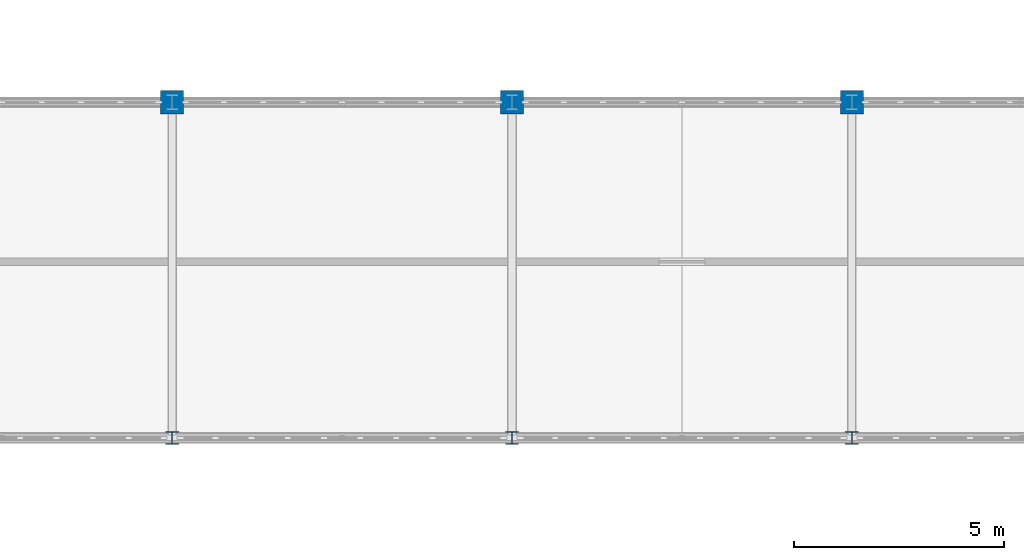
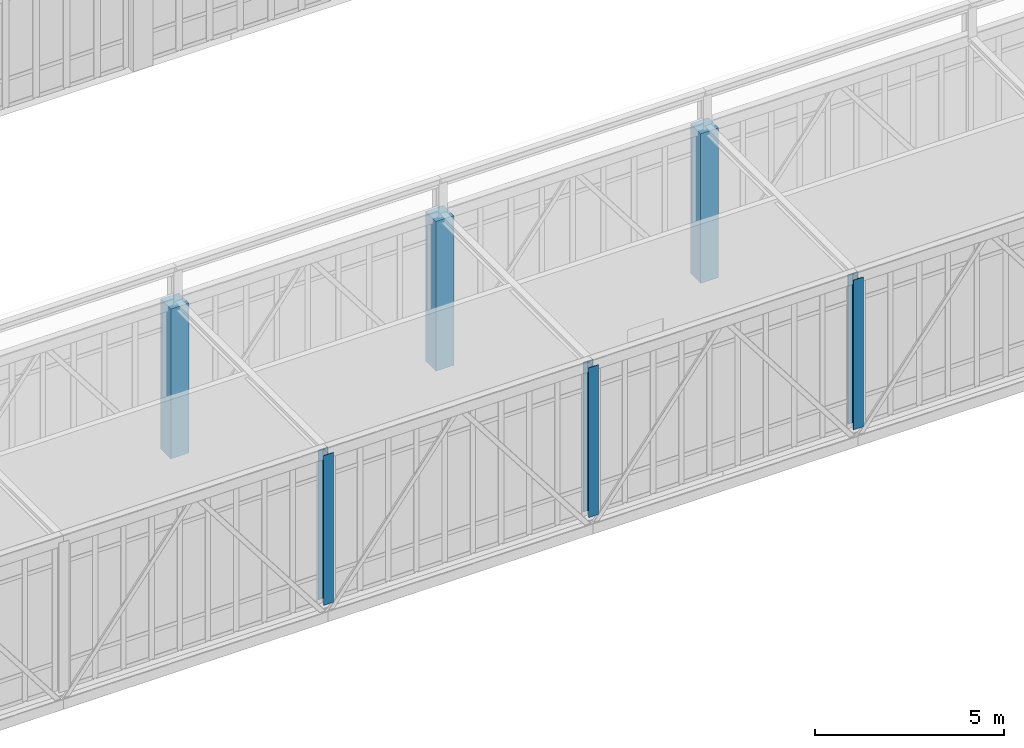
# One storey, part 9 of 107: 6 columns.
"""IFC4 building model written with IfcOpenShell, lengths in metres."""

from ifc_helpers import new_model, si_unit, direction, frame, origin, origin_2d, place, context, subcontext, project, spatial, rectangle, i_section, extrude, material, material_profile, profile_set, type_object, element, save


model = new_model("IFC4")

# Units and contexts
model_context = context("Model", 3, precision=1e-05, world=origin(), true_north=direction((0.0, 1.0)))
body_context = subcontext(model_context, "Body", "Model", "MODEL_VIEW")
ifc_project = project(units=[si_unit("LENGTHUNIT", "METRE"), si_unit("AREAUNIT", "SQUARE_METRE"), si_unit("VOLUMEUNIT", "CUBIC_METRE"), si_unit("PLANEANGLEUNIT", "RADIAN"), si_unit("MASSUNIT", "GRAM", prefix="KILO")], contexts=[model_context])

# Site, building, storey
site_placement = place(None, origin())
site = spatial("IfcSite", under=ifc_project, at=site_placement, CompositionType="ELEMENT")
building_placement = place(site_placement, origin())
building = spatial("IfcBuilding", under=site, at=building_placement, Name="Tarnveldt Square Police Headquarters", CompositionType="ELEMENT")
storey_placement = place(building_placement, frame((0.0, 0.0, 14.699951171875)))
storey = spatial("IfcBuildingStorey", under=building, at=storey_placement, Name="L03", CompositionType="ELEMENT", Elevation=14.699951171875)

# Columns
ifc_material_1 = material(Name="Concrete 40 MPa", Category="concrete")
ifc_material_profile_1 = material_profile(ifc_material_1, rectangle(XDim=0.550048828125, YDim=0.550048828125, at=origin_2d()), Name="RC-C550x550")
ifc_profile_set_1 = profile_set([ifc_material_profile_1], Name="Concrete 40 MPa")
column_type_1 = type_object("IfcColumnType", Name="COL-RC550", PredefinedType="COLUMN", material=ifc_profile_set_1)
for number, where, z_axis, x_axis, name in (
    (1, (64.800048828125, 80.0, 0.0), (0.0, 0.0, 1.0), (1.0, 0.0, 0.0), "L03 Column 102"),
    (2, (72.89990234375, 80.0, 0.0), (0.0, 0.0, 1.0), (1.0, 0.0, 0.0), "L03 Column 112"),
    (3, (81.0, 80.0, 0.0), (0.0, 0.0, 1.0), (1.0, 0.0, 0.0), "L03 Column 122"),
):
    element("IfcColumn", number, at=place(storey_placement, frame(where, z_axis=z_axis, x_axis=x_axis)), inside=storey, type_object=column_type_1, Name=name, PredefinedType="COLUMN", context=body_context, shape_type="SweptSolid", body=[
        extrude(rectangle(XDim=0.550048828125, YDim=0.550048828125, at=origin_2d()), origin(), (0.0, 0.0, 1.0), 4.840087890625),
    ])
ifc_material_2 = material(Name="Steel 350W", Category="steel")
ifc_material_profile_2 = material_profile(ifc_material_2, i_section(OverallWidth=0.304931640625, OverallDepth=0.30810546875, WebThickness=0.010009765625, FlangeThickness=0.015380859375, FilletRadius=0.014892578125, at=origin_2d()), Name="W310x97")
ifc_profile_set_2 = profile_set([ifc_material_profile_2], Name="Steel 350W")
column_type_2 = type_object("IfcColumnType", Name="COL-W310x97", PredefinedType="COLUMN", material=ifc_profile_set_2)
for number, where, z_axis, x_axis, name in (
    (4, (64.800048828125, 72.0, 0.0), (0.0, 0.0, 1.0), (1.0, 0.0, 0.0), "L03 Column 101"),
    (5, (72.89990234375, 72.0, 0.0), (0.0, 0.0, 1.0), (1.0, 0.0, 0.0), "L03 Column 111"),
    (6, (81.0, 72.0, 0.0), (0.0, 0.0, 1.0), (1.0, 0.0, 0.0), "L03 Column 121"),
):
    element("IfcColumn", number, at=place(storey_placement, frame(where, z_axis=z_axis, x_axis=x_axis)), inside=storey, type_object=column_type_2, Name=name, PredefinedType="COLUMN", context=body_context, shape_type="SweptSolid", body=[
        extrude(i_section(OverallWidth=0.304931640625, OverallDepth=0.30810546875, WebThickness=0.010009765625, FlangeThickness=0.015380859375, FilletRadius=0.014892578125, at=origin_2d()), origin(), (0.0, 0.0, 1.0), 4.840087890625),
    ])

save(model, "model.ifc")
